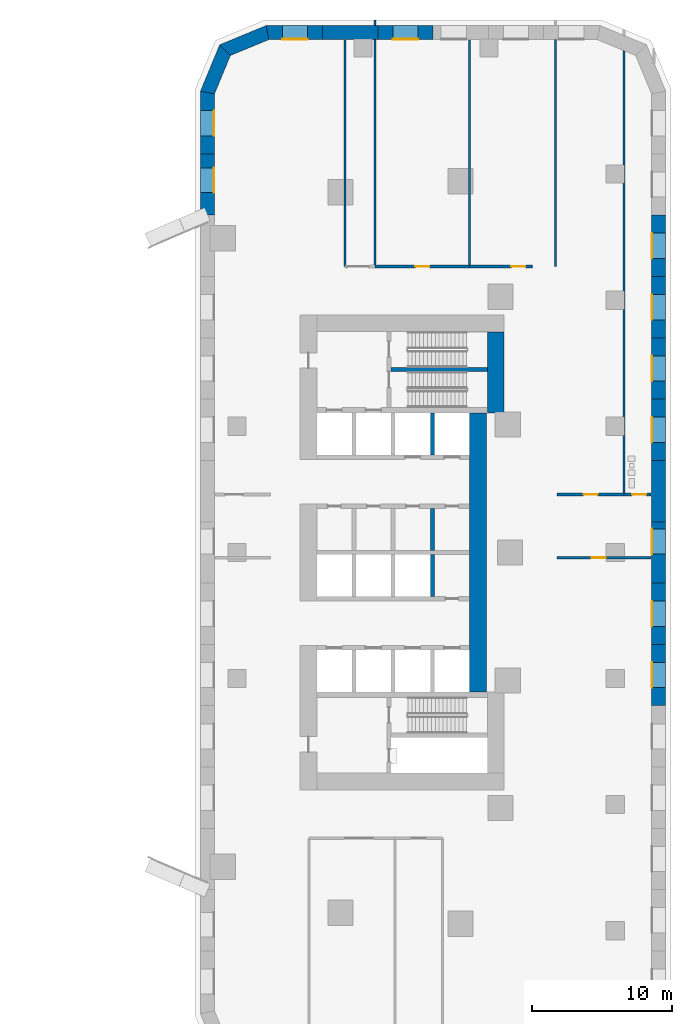
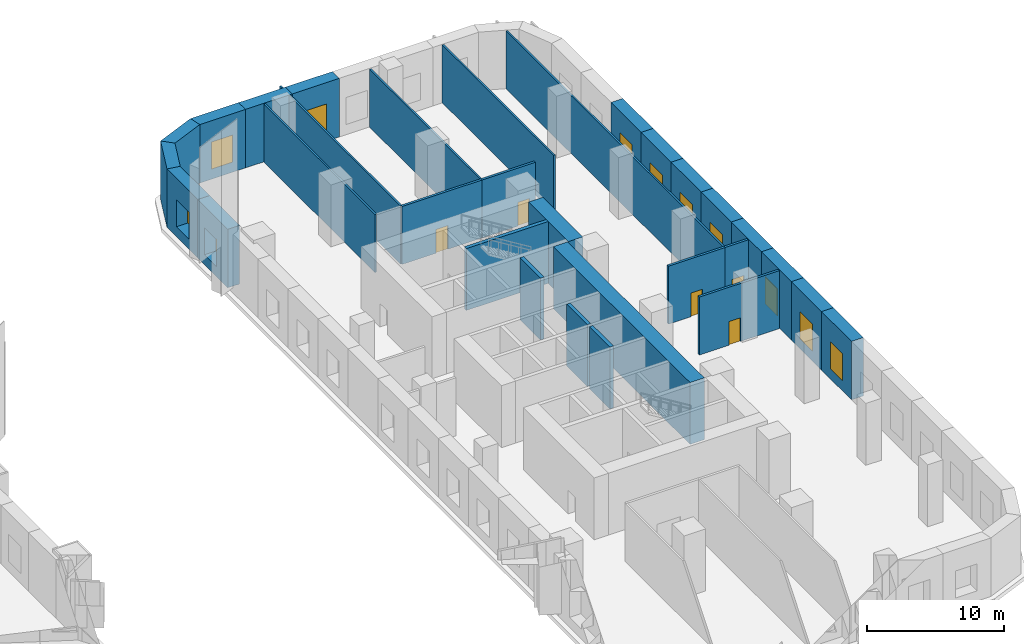
# One storey, part 5 of 13: 32 walls, 11 windows, 5 doors, 16 openings.
"""IFC4 building model written with IfcOpenShell, lengths in metres."""

from ifc_helpers import new_model, si_unit, direction, frame, frame_2d, origin, place, context, subcontext, project, spatial, polyline, rectangle, outline, extrude, material, layer, layer_set, type_object, element, fill, save


model = new_model("IFC4")

# Units and contexts
model_context = context("Model", 3, precision=1e-05, world=origin(), true_north=direction((0.0, 1.0)))
body_context = subcontext(model_context, "Body", "Model", "MODEL_VIEW")
ifc_project = project(units=[si_unit("LENGTHUNIT", "METRE"), si_unit("AREAUNIT", "SQUARE_METRE"), si_unit("VOLUMEUNIT", "CUBIC_METRE"), si_unit("PLANEANGLEUNIT", "RADIAN"), si_unit("MASSUNIT", "GRAM", prefix="KILO")], contexts=[model_context])

# Site, building, storey
site_placement = place(None, origin())
site = spatial("IfcSite", under=ifc_project, at=site_placement, CompositionType="ELEMENT")
building_placement = place(site_placement, origin())
building = spatial("IfcBuilding", under=site, at=building_placement, Name="Ostrand Prow Hotel Tower", CompositionType="ELEMENT")
storey_placement = place(building_placement, frame((0.0, 0.0, 13.5)))
storey = spatial("IfcBuildingStorey", under=building, at=storey_placement, Name="L02", CompositionType="ELEMENT", Elevation=13.5)

# Walls
ifc_material_1 = material(Name="Concrete C80/95", Category="concrete")
ifc_layer_1 = layer(ifc_material_1, 1.199951171875)
ifc_layer_set_1 = layer_set([ifc_layer_1], Name="Concrete C80/95")
wall_type_1 = type_object("IfcWallType", Name="Core wall 1200 C80/95", PredefinedType="SHEAR", material=ifc_layer_set_1)
wall_1_placement = place(storey_placement, frame((63.47998046875, 9.949951171875, 0.0), z_axis=(0.0, 0.0, 1.0), x_axis=(0.0, 1.0, 0.0)))
element("IfcWall", 1, at=wall_1_placement, inside=storey, type_object=wall_type_1, Name="Core wall CW-E-N", PredefinedType="SHEAR", context=body_context, shape_type="SweptSolid", body=[
    extrude(rectangle(XDim=5.800048828125, YDim=1.199951171875, at=frame_2d((2.89990234375, 0.0))), origin(), (0.0, 0.0, 1.0), 5.5),
])
wall_2_placement = place(storey_placement, frame((62.199951171875, -9.949951171875, 0.0), z_axis=(0.0, 0.0, 1.0), x_axis=(0.0, 1.0, 0.0)))
element("IfcWall", 2, at=wall_2_placement, inside=storey, type_object=wall_type_1, Name="Core wall CW-E-C", PredefinedType="SHEAR", context=body_context, shape_type="SweptSolid", body=[
    extrude(rectangle(XDim=19.89990234375, YDim=1.199951171875, at=frame_2d((9.949951171875, 0.0))), origin(), (0.0, 0.0, 1.0), 5.5),
])
ifc_material_2 = material(Name="Concrete C80/95", Category="concrete")
ifc_layer_2 = layer(ifc_material_2, 0.300048828125)
ifc_layer_set_2 = layer_set([ifc_layer_2], Name="Concrete C80/95")
wall_type_2 = type_object("IfcWallType", Name="Core wall 300 C80/95", PredefinedType="SHEAR", material=ifc_layer_set_2)
for number, where, z_axis, x_axis, name in (
    (3, (58.949951171875, 0.14990234375, 0.0), (0.0, 0.0, 1.0), (0.0, 1.0, 0.0), "Core wall PW-R3-NB"),
    (4, (58.949951171875, 6.949951171875, 0.0), (0.0, 0.0, 1.0), (0.0, 1.0, 0.0), "Core wall PW-R3-NA"),
    (5, (58.949951171875, -3.14990234375, 0.0), (0.0, 0.0, 1.0), (0.0, 1.0, 0.0), "Core wall PW-R3-SB"),
):
    element("IfcWall", number, at=place(storey_placement, frame(where, z_axis=z_axis, x_axis=x_axis)), inside=storey, type_object=wall_type_2, Name=name, PredefinedType="SHEAR", context=body_context, shape_type="SweptSolid", body=[
        extrude(rectangle(XDim=3.0, YDim=0.300048828125, at=frame_2d((1.5, 0.0))), origin(), (0.0, 0.0, 1.0), 5.5),
    ])
wall_3_placement = place(storey_placement, frame((56.0, 13.050048828125, 0.0), z_axis=(0.0, 0.0, 1.0), x_axis=(1.0, 0.0, 0.0)))
element("IfcWall", 6, at=wall_3_placement, inside=storey, type_object=wall_type_2, Name="Core wall PW-ST13", PredefinedType="SHEAR", context=body_context, shape_type="SweptSolid", body=[
    extrude(rectangle(XDim=6.8798828125, YDim=0.300048828125, at=frame_2d((3.43994140625, 0.0))), origin(), (0.0, 0.0, 1.0), 5.5),
])
ifc_material_3 = material(Name="Plasterboard partition")
ifc_layer_3 = layer(ifc_material_3, 0.14990234375)
ifc_layer_set_3 = layer_set([ifc_layer_3], Name="Plasterboard partition")
wall_type_3 = type_object("IfcWallType", Name="Partition 150 room partition", PredefinedType="PARTITIONING", material=ifc_layer_set_3)
wall_4_placement = place(storey_placement, frame((52.720703125, 20.39990234375, 0.0), z_axis=(0.0, 0.0, 1.0), x_axis=(0.0, 1.0, 0.0)))
element("IfcWall", 7, at=wall_4_placement, inside=storey, type_object=wall_type_3, Name="ROOM PARTITION", PredefinedType="PARTITIONING", context=body_context, shape_type="SweptSolid", body=[
    extrude(rectangle(XDim=16.170166015625, YDim=0.14990234375, at=frame_2d((8.0849609375, 0.0))), origin(), (0.0, 0.0, 1.0), 5.14990234375),
])
wall_5_placement = place(storey_placement, frame((54.864990234375, 20.39990234375, 0.0), z_axis=(0.0, 0.0, 1.0), x_axis=(0.0, 1.0, 0.0)))
element("IfcWall", 8, at=wall_5_placement, inside=storey, type_object=wall_type_3, Name="ROOM PARTITION", PredefinedType="PARTITIONING", context=body_context, shape_type="SweptSolid", body=[
    extrude(rectangle(XDim=16.2001953125, YDim=0.14990234375, at=frame_2d((8.10009765625, 0.0))), origin(), (0.0, 0.0, 1.0), 5.14990234375),
])
wall_6_placement = place(storey_placement, frame((54.864990234375, 37.60009765625, 0.0), z_axis=(0.0, 0.0, 1.0), x_axis=(0.0, 1.0, 0.0)))
element("IfcWall", 9, at=wall_6_placement, inside=storey, type_object=wall_type_3, Name="ROOM PARTITION", PredefinedType="PARTITIONING", context=body_context, shape_type="SweptSolid", body=[
    extrude(rectangle(XDim=0.39990234375, YDim=0.14990234375, at=frame_2d((0.199951171875, 0.0))), origin(), (0.0, 0.0, 1.0), 5.14990234375),
])
wall_7_placement = place(storey_placement, frame((61.603515625, 20.39990234375, 0.0), z_axis=(0.0, 0.0, 1.0), x_axis=(0.0, 1.0, 0.0)))
element("IfcWall", 10, at=wall_7_placement, inside=storey, type_object=wall_type_3, Name="ROOM PARTITION", PredefinedType="PARTITIONING", context=body_context, shape_type="SweptSolid", body=[
    extrude(rectangle(XDim=16.170166015625, YDim=0.14990234375, at=frame_2d((8.0849609375, 0.0))), origin(), (0.0, 0.0, 1.0), 5.14990234375),
])
wall_8_placement = place(storey_placement, frame((67.729736328125, 20.39990234375, 0.0), z_axis=(0.0, 0.0, 1.0), x_axis=(0.0, 1.0, 0.0)))
element("IfcWall", 11, at=wall_8_placement, inside=storey, type_object=wall_type_3, Name="ROOM PARTITION", PredefinedType="PARTITIONING", context=body_context, shape_type="SweptSolid", body=[
    extrude(rectangle(XDim=16.2001953125, YDim=0.14990234375, at=frame_2d((8.10009765625, 0.0))), origin(), (0.0, 0.0, 1.0), 5.14990234375),
])
wall_9_placement = place(storey_placement, frame((72.630615234375, 4.138671875, 0.0), z_axis=(0.0, 0.0, 1.0), x_axis=(0.0, 1.0, 0.0)))
element("IfcWall", 12, at=wall_9_placement, inside=storey, type_object=wall_type_3, Name="ROOM PARTITION", PredefinedType="PARTITIONING", context=body_context, shape_type="SweptSolid", body=[
    extrude(rectangle(XDim=31.67041015625, YDim=0.14990234375, at=frame_2d((15.835205078125, 0.0))), origin(), (0.0, 0.0, 1.0), 5.14990234375),
])

# Wall, opening, door
ifc_material_4 = material(Name="Plasterboard partition")
ifc_layer_4 = layer(ifc_material_4, 0.199951171875)
ifc_layer_set_4 = layer_set([ifc_layer_4], Name="Plasterboard partition")
wall_type_4 = type_object("IfcWallType", Name="Partition 200 corridor wall", PredefinedType="PARTITIONING", material=ifc_layer_set_4)
wall_10_placement = place(storey_placement, frame((67.85888671875, -0.376220703125, 0.0), z_axis=(0.0, 0.0, 1.0), x_axis=(1.0, 0.0, 0.0)))
wall_10 = element("IfcWall", 13, at=wall_10_placement, inside=storey, type_object=wall_type_4, Name="CORRIDOR WALL", PredefinedType="PARTITIONING", context=body_context, shape_type="SweptSolid", body=[
    extrude(rectangle(XDim=6.711181640625, YDim=0.199951171875, at=frame_2d((3.35546875, 0.0))), origin(), (0.0, 0.0, 1.0), 5.14990234375),
])
opening_1_placement = place(wall_10_placement, frame((2.470458984375, 0.0, 0.0)))
opening_1 = element("IfcOpeningElement", 14, at=opening_1_placement, cuts=wall_10, Name="Opening D1R", PredefinedType="OPENING", context=body_context, shape_type="SweptSolid", body=[
    extrude(rectangle(XDim=1.0, YDim=2.10009765625, at=frame_2d((0.5, 1.050048828125))), frame((0.0, 0.10986328125, 0.0), z_axis=(0.0, -1.0, 0.0), x_axis=(1.0, 0.0, 0.0)), (0.0, 0.0, 1.0), 0.219970703125),
])
ifc_material_5 = material(Name="Timber door leaf", Category="wood")
door_type_1 = type_object("IfcDoorType", Name="Guest room door 1000 right", OperationType="SINGLE_SWING_RIGHT", PredefinedType="DOOR", material=ifc_material_5)
door_1_placement = place(opening_1_placement, origin())
door_1 = element("IfcDoor", 15, at=door_1_placement, inside=storey, type_object=door_type_1, Name="DOOR", OperationType="SINGLE_SWING_RIGHT", OverallHeight=2.10009765625, OverallWidth=1.0, PredefinedType="DOOR", context=body_context, shape_type="SweptSolid", body=[
    extrude(rectangle(XDim=1.0, YDim=2.10009765625, at=frame_2d((0.5, 1.050048828125))), frame((0.0, 0.02490234375, 0.0), z_axis=(0.0, -1.0, 0.0), x_axis=(1.0, 0.0, 0.0)), (0.0, 0.0, 1.0), 0.050048828125),
])
fill(opening_1, door_1)

wall_11_placement = place(storey_placement, frame((67.85888671875, 4.138671875, 0.0), z_axis=(0.0, 0.0, 1.0), x_axis=(1.0, 0.0, 0.0)))
wall_11 = element("IfcWall", 16, at=wall_11_placement, inside=storey, type_object=wall_type_4, Name="CORRIDOR WALL", PredefinedType="PARTITIONING", context=body_context, shape_type="SweptSolid", body=[
    extrude(rectangle(XDim=4.771728515625, YDim=0.199951171875, at=frame_2d((2.3857421875, 0.0))), origin(), (0.0, 0.0, 1.0), 5.14990234375),
])
opening_2_placement = place(wall_11_placement, frame((1.8857421875, 0.0, 0.0)))
opening_2 = element("IfcOpeningElement", 17, at=opening_2_placement, cuts=wall_11, Name="Opening D1R", PredefinedType="OPENING", context=body_context, shape_type="SweptSolid", body=[
    extrude(rectangle(XDim=1.0, YDim=2.10009765625, at=frame_2d((0.5, 1.050048828125))), frame((0.0, 0.10986328125, 0.0), z_axis=(0.0, -1.0, 0.0), x_axis=(1.0, 0.0, 0.0)), (0.0, 0.0, 1.0), 0.219970703125),
])
door_2_placement = place(opening_2_placement, origin())
door_2 = element("IfcDoor", 18, at=door_2_placement, inside=storey, type_object=door_type_1, Name="DOOR", OperationType="SINGLE_SWING_RIGHT", OverallHeight=2.10009765625, OverallWidth=1.0, PredefinedType="DOOR", context=body_context, shape_type="SweptSolid", body=[
    extrude(rectangle(XDim=1.0, YDim=2.10009765625, at=frame_2d((0.5, 1.050048828125))), frame((0.0, 0.02490234375, 0.0), z_axis=(0.0, -1.0, 0.0), x_axis=(1.0, 0.0, 0.0)), (0.0, 0.0, 1.0), 0.050048828125),
])
fill(opening_2, door_2)

wall_12_placement = place(storey_placement, frame((72.630615234375, 4.138671875, 0.0), z_axis=(0.0, 0.0, 1.0), x_axis=(1.0, 0.0, 0.0)))
wall_12 = element("IfcWall", 19, at=wall_12_placement, inside=storey, type_object=wall_type_4, Name="CORRIDOR WALL", PredefinedType="PARTITIONING", context=body_context, shape_type="SweptSolid", body=[
    extrude(rectangle(XDim=1.939453125, YDim=0.199951171875, at=frame_2d((0.9697265625, 0.0))), origin(), (0.0, 0.0, 1.0), 5.14990234375),
])
opening_3_placement = place(wall_12_placement, frame((0.572021484375, 0.0, 0.0)))
opening_3 = element("IfcOpeningElement", 20, at=opening_3_placement, cuts=wall_12, Name="Opening D1", PredefinedType="OPENING", context=body_context, shape_type="SweptSolid", body=[
    extrude(rectangle(XDim=1.0, YDim=2.10009765625, at=frame_2d((0.5, 1.050048828125))), frame((0.0, 0.10986328125, 0.0), z_axis=(0.0, -1.0, 0.0), x_axis=(1.0, 0.0, 0.0)), (0.0, 0.0, 1.0), 0.219970703125),
])
ifc_material_6 = material(Name="Timber door leaf", Category="wood")
door_type_2 = type_object("IfcDoorType", Name="Guest room door 1000", OperationType="SINGLE_SWING_LEFT", PredefinedType="DOOR", material=ifc_material_6)
door_3_placement = place(opening_3_placement, origin())
door_3 = element("IfcDoor", 21, at=door_3_placement, inside=storey, type_object=door_type_2, Name="DOOR", OperationType="SINGLE_SWING_LEFT", OverallHeight=2.10009765625, OverallWidth=1.0, PredefinedType="DOOR", context=body_context, shape_type="SweptSolid", body=[
    extrude(rectangle(XDim=1.0, YDim=2.10009765625, at=frame_2d((0.5, 1.050048828125))), frame((0.0, 0.02490234375, 0.0), z_axis=(0.0, -1.0, 0.0), x_axis=(1.0, 0.0, 0.0)), (0.0, 0.0, 1.0), 0.050048828125),
])
fill(opening_3, door_3)

wall_13_placement = place(storey_placement, frame((61.603515625, 20.39990234375, 0.0), z_axis=(0.0, 0.0, 1.0), x_axis=(-1.0, 0.0, 0.0)))
wall_13 = element("IfcWall", 22, at=wall_13_placement, inside=storey, type_object=wall_type_4, Name="CORRIDOR WALL", PredefinedType="PARTITIONING", context=body_context, shape_type="SweptSolid", body=[
    extrude(rectangle(XDim=6.738525390625, YDim=0.199951171875, at=frame_2d((3.369140625, 0.0))), origin(), (0.0, 0.0, 1.0), 5.14990234375),
])
opening_4_placement = place(wall_13_placement, frame((2.869384765625, 0.0, 0.0)))
opening_4 = element("IfcOpeningElement", 23, at=opening_4_placement, cuts=wall_13, Name="Opening D1", PredefinedType="OPENING", context=body_context, shape_type="SweptSolid", body=[
    extrude(rectangle(XDim=1.0, YDim=2.10009765625, at=frame_2d((0.5, 1.050048828125))), frame((0.0, 0.10986328125, 0.0), z_axis=(0.0, -1.0, 0.0), x_axis=(1.0, 0.0, 0.0)), (0.0, 0.0, 1.0), 0.219970703125),
])
door_4_placement = place(opening_4_placement, origin())
door_4 = element("IfcDoor", 24, at=door_4_placement, inside=storey, type_object=door_type_2, Name="DOOR", OperationType="SINGLE_SWING_LEFT", OverallHeight=2.10009765625, OverallWidth=1.0, PredefinedType="DOOR", context=body_context, shape_type="SweptSolid", body=[
    extrude(rectangle(XDim=1.0, YDim=2.10009765625, at=frame_2d((0.5, 1.050048828125))), frame((0.0, 0.02490234375, 0.0), z_axis=(0.0, -1.0, 0.0), x_axis=(1.0, 0.0, 0.0)), (0.0, 0.0, 1.0), 0.050048828125),
])
fill(opening_4, door_4)

wall_14_placement = place(storey_placement, frame((66.090087890625, 20.39990234375, 0.0), z_axis=(0.0, 0.0, 1.0), x_axis=(-1.0, 0.0, 0.0)))
wall_14 = element("IfcWall", 25, at=wall_14_placement, inside=storey, type_object=wall_type_4, Name="CORRIDOR WALL", PredefinedType="PARTITIONING", context=body_context, shape_type="SweptSolid", body=[
    extrude(rectangle(XDim=4.486572265625, YDim=0.199951171875, at=frame_2d((2.2431640625, 0.0))), origin(), (0.0, 0.0, 1.0), 5.14990234375),
])
opening_5_placement = place(wall_14_placement, frame((0.5, 0.0, 0.0)))
opening_5 = element("IfcOpeningElement", 26, at=opening_5_placement, cuts=wall_14, Name="Opening D1R", PredefinedType="OPENING", context=body_context, shape_type="SweptSolid", body=[
    extrude(rectangle(XDim=1.0, YDim=2.10009765625, at=frame_2d((0.5, 1.050048828125))), frame((0.0, 0.10986328125, 0.0), z_axis=(0.0, -1.0, 0.0), x_axis=(1.0, 0.0, 0.0)), (0.0, 0.0, 1.0), 0.219970703125),
])
door_5_placement = place(opening_5_placement, origin())
door_5 = element("IfcDoor", 27, at=door_5_placement, inside=storey, type_object=door_type_1, Name="DOOR", OperationType="SINGLE_SWING_RIGHT", OverallHeight=2.10009765625, OverallWidth=1.0, PredefinedType="DOOR", context=body_context, shape_type="SweptSolid", body=[
    extrude(rectangle(XDim=1.0, YDim=2.10009765625, at=frame_2d((0.5, 1.050048828125))), frame((0.0, 0.02490234375, 0.0), z_axis=(0.0, -1.0, 0.0), x_axis=(1.0, 0.0, 0.0)), (0.0, 0.0, 1.0), 0.050048828125),
])
fill(opening_5, door_5)

# Wall, opening, window
ifc_material_7 = material(Name="Precast concrete C40/50", Category="concrete")
ifc_layer_5 = layer(ifc_material_7, 1.0)
ifc_layer_set_5 = layer_set([ifc_layer_5], Name="Precast concrete C40/50")
wall_type_5 = type_object("IfcWallType", Name="Portal pier wall 1000 mm", PredefinedType="NOTDEFINED", material=ifc_layer_set_5)
wall_15_placement = place(storey_placement, frame((75.10009765625, -10.940185546875, 0.0), z_axis=(0.0, 0.0, 1.0), x_axis=(0.0, 1.0, 0.0)))
wall_15 = element("IfcWall", 28, at=wall_15_placement, inside=storey, type_object=wall_type_5, Name="Portal pier wall L02-PP113", PredefinedType="NOTDEFINED", context=body_context, shape_type="SweptSolid", body=[
    extrude(outline(polyline([(0.0, -0.5), (4.3759765625, -0.5), (4.3759765625, 0.5), (0.0, 0.5), (0.0, -0.5)])), origin(), (0.0, 0.0, 1.0), 5.199951171875),
])
opening_6_placement = place(wall_15_placement, frame((1.2880859375, 0.0, 0.89990234375)))
opening_6 = element("IfcOpeningElement", 29, at=opening_6_placement, cuts=wall_15, Name="Opening WP2", PredefinedType="OPENING", context=body_context, shape_type="SweptSolid", body=[
    extrude(rectangle(XDim=1.800048828125, YDim=2.39990234375, at=frame_2d((0.89990234375, 1.199951171875))), frame((0.0, 0.510009765625, 0.0), z_axis=(0.0, -1.0, 0.0), x_axis=(1.0, 0.0, 0.0)), (0.0, 0.0, 1.0), 1.02001953125),
])
ifc_material_8 = material(Name="Insulated glass in bronze anodised frame", Category="glass")
window_type = type_object("IfcWindowType", Name="Portal window 1800x2400", PartitioningType="SINGLE_PANEL", PredefinedType="WINDOW", material=ifc_material_8)
window_1_placement = place(opening_6_placement, origin())
window_1 = element("IfcWindow", 30, at=window_1_placement, inside=storey, type_object=window_type, Name="Portal window L02-PP113", OverallHeight=2.39990234375, OverallWidth=1.800048828125, PartitioningType="SINGLE_PANEL", PredefinedType="WINDOW", context=body_context, shape_type="SweptSolid", body=[
    extrude(rectangle(XDim=1.800048828125, YDim=2.39990234375, at=frame_2d((0.89990234375, 1.199951171875))), frame((0.0, 0.5, 0.0), z_axis=(0.0, -1.0, 0.0), x_axis=(1.0, 0.0, 0.0)), (0.0, 0.0, 1.0), 0.06005859375),
])
fill(opening_6, window_1)

wall_16_placement = place(storey_placement, frame((75.10009765625, -6.564208984375, 0.0), z_axis=(0.0, 0.0, 1.0), x_axis=(0.0, 1.0, 0.0)))
wall_16 = element("IfcWall", 31, at=wall_16_placement, inside=storey, type_object=wall_type_5, Name="Portal pier wall L02-PP114", PredefinedType="NOTDEFINED", context=body_context, shape_type="SweptSolid", body=[
    extrude(outline(polyline([(0.0, -0.5), (4.376220703125, -0.5), (4.376220703125, 0.5), (0.0, 0.5), (0.0, -0.5)])), origin(), (0.0, 0.0, 1.0), 5.199951171875),
])
opening_7_placement = place(wall_16_placement, frame((1.2880859375, 0.0, 0.89990234375)))
opening_7 = element("IfcOpeningElement", 32, at=opening_7_placement, cuts=wall_16, Name="Opening WP2", PredefinedType="OPENING", context=body_context, shape_type="SweptSolid", body=[
    extrude(rectangle(XDim=1.800048828125, YDim=2.39990234375, at=frame_2d((0.89990234375, 1.199951171875))), frame((0.0, 0.510009765625, 0.0), z_axis=(0.0, -1.0, 0.0), x_axis=(1.0, 0.0, 0.0)), (0.0, 0.0, 1.0), 1.02001953125),
])
window_2_placement = place(opening_7_placement, origin())
window_2 = element("IfcWindow", 33, at=window_2_placement, inside=storey, type_object=window_type, Name="Portal window L02-PP114", OverallHeight=2.39990234375, OverallWidth=1.800048828125, PartitioningType="SINGLE_PANEL", PredefinedType="WINDOW", context=body_context, shape_type="SweptSolid", body=[
    extrude(rectangle(XDim=1.800048828125, YDim=2.39990234375, at=frame_2d((0.89990234375, 1.199951171875))), frame((0.0, 0.5, 0.0), z_axis=(0.0, -1.0, 0.0), x_axis=(1.0, 0.0, 0.0)), (0.0, 0.0, 1.0), 0.06005859375),
])
fill(opening_7, window_2)

wall_17_placement = place(storey_placement, frame((75.10009765625, -2.18798828125, 0.0), z_axis=(0.0, 0.0, 1.0), x_axis=(0.0, 1.0, 0.0)))
wall_17 = element("IfcWall", 34, at=wall_17_placement, inside=storey, type_object=wall_type_5, Name="Portal pier wall L02-PP115", PredefinedType="NOTDEFINED", context=body_context, shape_type="SweptSolid", body=[
    extrude(outline(polyline([(0.0, -0.5), (4.3759765625, -0.5), (4.3759765625, 0.5), (0.0, 0.5), (0.0, -0.5)])), origin(), (0.0, 0.0, 1.0), 5.199951171875),
])
opening_8_placement = place(wall_17_placement, frame((2.068115234375, 0.0, 0.89990234375)))
opening_8 = element("IfcOpeningElement", 35, at=opening_8_placement, cuts=wall_17, Name="Opening WP2", PredefinedType="OPENING", context=body_context, shape_type="SweptSolid", body=[
    extrude(rectangle(XDim=1.800048828125, YDim=2.39990234375, at=frame_2d((0.89990234375, 1.199951171875))), frame((0.0, 0.510009765625, 0.0), z_axis=(0.0, -1.0, 0.0), x_axis=(1.0, 0.0, 0.0)), (0.0, 0.0, 1.0), 1.02001953125),
])
window_3_placement = place(opening_8_placement, origin())
window_3 = element("IfcWindow", 36, at=window_3_placement, inside=storey, type_object=window_type, Name="Portal window L02-PP115", OverallHeight=2.39990234375, OverallWidth=1.800048828125, PartitioningType="SINGLE_PANEL", PredefinedType="WINDOW", context=body_context, shape_type="SweptSolid", body=[
    extrude(rectangle(XDim=1.800048828125, YDim=2.39990234375, at=frame_2d((0.89990234375, 1.199951171875))), frame((0.0, 0.5, 0.0), z_axis=(0.0, -1.0, 0.0), x_axis=(1.0, 0.0, 0.0)), (0.0, 0.0, 1.0), 0.06005859375),
])
fill(opening_8, window_3)

# Wall
wall_18_placement = place(storey_placement, frame((75.10009765625, 2.18798828125, 0.0), z_axis=(0.0, 0.0, 1.0), x_axis=(0.0, 1.0, 0.0)))
element("IfcWall", 37, at=wall_18_placement, inside=storey, type_object=wall_type_5, Name="Portal pier wall L02-PP116", PredefinedType="NOTDEFINED", context=body_context, shape_type="SweptSolid", body=[
    extrude(outline(polyline([(0.0, -0.5), (4.376220703125, -0.5), (4.376220703125, 0.5), (0.0, 0.5), (0.0, -0.5)])), origin(), (0.0, 0.0, 1.0), 5.199951171875),
])

# Wall, opening, window
wall_19_placement = place(storey_placement, frame((75.10009765625, 6.564208984375, 0.0), z_axis=(0.0, 0.0, 1.0), x_axis=(0.0, 1.0, 0.0)))
wall_19 = element("IfcWall", 38, at=wall_19_placement, inside=storey, type_object=wall_type_5, Name="Portal pier wall L02-PP117", PredefinedType="NOTDEFINED", context=body_context, shape_type="SweptSolid", body=[
    extrude(outline(polyline([(0.0, -0.5), (4.3759765625, -0.5), (4.3759765625, 0.5), (0.0, 0.5), (0.0, -0.5)])), origin(), (0.0, 0.0, 1.0), 5.199951171875),
])
opening_9_placement = place(wall_19_placement, frame((1.2880859375, 0.0, 0.89990234375)))
opening_9 = element("IfcOpeningElement", 39, at=opening_9_placement, cuts=wall_19, Name="Opening WP2", PredefinedType="OPENING", context=body_context, shape_type="SweptSolid", body=[
    extrude(rectangle(XDim=1.800048828125, YDim=2.39990234375, at=frame_2d((0.89990234375, 1.199951171875))), frame((0.0, 0.510009765625, 0.0), z_axis=(0.0, -1.0, 0.0), x_axis=(1.0, 0.0, 0.0)), (0.0, 0.0, 1.0), 1.02001953125),
])
window_4_placement = place(opening_9_placement, origin())
window_4 = element("IfcWindow", 40, at=window_4_placement, inside=storey, type_object=window_type, Name="Portal window L02-PP117", OverallHeight=2.39990234375, OverallWidth=1.800048828125, PartitioningType="SINGLE_PANEL", PredefinedType="WINDOW", context=body_context, shape_type="SweptSolid", body=[
    extrude(rectangle(XDim=1.800048828125, YDim=2.39990234375, at=frame_2d((0.89990234375, 1.199951171875))), frame((0.0, 0.5, 0.0), z_axis=(0.0, -1.0, 0.0), x_axis=(1.0, 0.0, 0.0)), (0.0, 0.0, 1.0), 0.06005859375),
])
fill(opening_9, window_4)

wall_20_placement = place(storey_placement, frame((75.10009765625, 10.940185546875, 0.0), z_axis=(0.0, 0.0, 1.0), x_axis=(0.0, 1.0, 0.0)))
wall_20 = element("IfcWall", 41, at=wall_20_placement, inside=storey, type_object=wall_type_5, Name="Portal pier wall L02-PP118", PredefinedType="NOTDEFINED", context=body_context, shape_type="SweptSolid", body=[
    extrude(outline(polyline([(0.0, -0.5), (4.376220703125, -0.5), (4.376220703125, 0.5), (0.0, 0.5), (0.0, -0.5)])), origin(), (0.0, 0.0, 1.0), 5.199951171875),
])
opening_10_placement = place(wall_20_placement, frame((1.2880859375, 0.0, 0.89990234375)))
opening_10 = element("IfcOpeningElement", 42, at=opening_10_placement, cuts=wall_20, Name="Opening WP2", PredefinedType="OPENING", context=body_context, shape_type="SweptSolid", body=[
    extrude(rectangle(XDim=1.800048828125, YDim=2.39990234375, at=frame_2d((0.89990234375, 1.199951171875))), frame((0.0, 0.510009765625, 0.0), z_axis=(0.0, -1.0, 0.0), x_axis=(1.0, 0.0, 0.0)), (0.0, 0.0, 1.0), 1.02001953125),
])
window_5_placement = place(opening_10_placement, origin())
window_5 = element("IfcWindow", 43, at=window_5_placement, inside=storey, type_object=window_type, Name="Portal window L02-PP118", OverallHeight=2.39990234375, OverallWidth=1.800048828125, PartitioningType="SINGLE_PANEL", PredefinedType="WINDOW", context=body_context, shape_type="SweptSolid", body=[
    extrude(rectangle(XDim=1.800048828125, YDim=2.39990234375, at=frame_2d((0.89990234375, 1.199951171875))), frame((0.0, 0.5, 0.0), z_axis=(0.0, -1.0, 0.0), x_axis=(1.0, 0.0, 0.0)), (0.0, 0.0, 1.0), 0.06005859375),
])
fill(opening_10, window_5)

wall_21_placement = place(storey_placement, frame((75.10009765625, 15.31640625, 0.0), z_axis=(0.0, 0.0, 1.0), x_axis=(0.0, 1.0, 0.0)))
wall_21 = element("IfcWall", 44, at=wall_21_placement, inside=storey, type_object=wall_type_5, Name="Portal pier wall L02-PP119", PredefinedType="NOTDEFINED", context=body_context, shape_type="SweptSolid", body=[
    extrude(outline(polyline([(0.0, -0.5), (4.376220703125, -0.5), (4.376220703125, 0.5), (0.0, 0.5), (0.0, -0.5)])), origin(), (0.0, 0.0, 1.0), 5.199951171875),
])
opening_11_placement = place(wall_21_placement, frame((1.2880859375, 0.0, 0.89990234375)))
opening_11 = element("IfcOpeningElement", 45, at=opening_11_placement, cuts=wall_21, Name="Opening WP2", PredefinedType="OPENING", context=body_context, shape_type="SweptSolid", body=[
    extrude(rectangle(XDim=1.800048828125, YDim=2.39990234375, at=frame_2d((0.89990234375, 1.199951171875))), frame((0.0, 0.510009765625, 0.0), z_axis=(0.0, -1.0, 0.0), x_axis=(1.0, 0.0, 0.0)), (0.0, 0.0, 1.0), 1.02001953125),
])
window_6_placement = place(opening_11_placement, origin())
window_6 = element("IfcWindow", 46, at=window_6_placement, inside=storey, type_object=window_type, Name="Portal window L02-PP119", OverallHeight=2.39990234375, OverallWidth=1.800048828125, PartitioningType="SINGLE_PANEL", PredefinedType="WINDOW", context=body_context, shape_type="SweptSolid", body=[
    extrude(rectangle(XDim=1.800048828125, YDim=2.39990234375, at=frame_2d((0.89990234375, 1.199951171875))), frame((0.0, 0.5, 0.0), z_axis=(0.0, -1.0, 0.0), x_axis=(1.0, 0.0, 0.0)), (0.0, 0.0, 1.0), 0.06005859375),
])
fill(opening_11, window_6)

wall_22_placement = place(storey_placement, frame((75.10009765625, 19.692626953125, 0.0), z_axis=(0.0, 0.0, 1.0), x_axis=(0.0, 1.0, 0.0)))
wall_22 = element("IfcWall", 47, at=wall_22_placement, inside=storey, type_object=wall_type_5, Name="Portal pier wall L02-PP120", PredefinedType="NOTDEFINED", context=body_context, shape_type="SweptSolid", body=[
    extrude(outline(polyline([(0.0, -0.5), (4.3759765625, -0.5), (4.3759765625, 0.5), (0.0, 0.5), (0.0, -0.5)])), origin(), (0.0, 0.0, 1.0), 5.199951171875),
])
opening_12_placement = place(wall_22_placement, frame((1.2880859375, 0.0, 0.89990234375)))
opening_12 = element("IfcOpeningElement", 48, at=opening_12_placement, cuts=wall_22, Name="Opening WP2", PredefinedType="OPENING", context=body_context, shape_type="SweptSolid", body=[
    extrude(rectangle(XDim=1.800048828125, YDim=2.39990234375, at=frame_2d((0.89990234375, 1.199951171875))), frame((0.0, 0.510009765625, 0.0), z_axis=(0.0, -1.0, 0.0), x_axis=(1.0, 0.0, 0.0)), (0.0, 0.0, 1.0), 1.02001953125),
])
window_7_placement = place(opening_12_placement, origin())
window_7 = element("IfcWindow", 49, at=window_7_placement, inside=storey, type_object=window_type, Name="Portal window L02-PP120", OverallHeight=2.39990234375, OverallWidth=1.800048828125, PartitioningType="SINGLE_PANEL", PredefinedType="WINDOW", context=body_context, shape_type="SweptSolid", body=[
    extrude(rectangle(XDim=1.800048828125, YDim=2.39990234375, at=frame_2d((0.89990234375, 1.199951171875))), frame((0.0, 0.5, 0.0), z_axis=(0.0, -1.0, 0.0), x_axis=(1.0, 0.0, 0.0)), (0.0, 0.0, 1.0), 0.06005859375),
])
fill(opening_12, window_7)

wall_23_placement = place(storey_placement, frame((59.0, 37.10009765625, 0.0), z_axis=(0.0, 0.0, 1.0), x_axis=(-1.0, 0.0, 0.0)))
wall_23 = element("IfcWall", 50, at=wall_23_placement, inside=storey, type_object=wall_type_5, Name="Portal pier wall L02-PP128", PredefinedType="NOTDEFINED", context=body_context, shape_type="SweptSolid", body=[
    extrude(outline(polyline([(0.0, -0.5), (3.940185546875, -0.5), (3.940185546875, 0.5), (0.0, 0.5), (0.0, -0.5)])), origin(), (0.0, 0.0, 1.0), 5.199951171875),
])
opening_13_placement = place(wall_23_placement, frame((1.0703125, 0.0, 0.89990234375)))
opening_13 = element("IfcOpeningElement", 51, at=opening_13_placement, cuts=wall_23, Name="Opening WP2", PredefinedType="OPENING", context=body_context, shape_type="SweptSolid", body=[
    extrude(rectangle(XDim=1.800048828125, YDim=2.39990234375, at=frame_2d((0.89990234375, 1.199951171875))), frame((0.0, 0.510009765625, 0.0), z_axis=(0.0, -1.0, 0.0), x_axis=(1.0, 0.0, 0.0)), (0.0, 0.0, 1.0), 1.02001953125),
])
window_8_placement = place(opening_13_placement, origin())
window_8 = element("IfcWindow", 52, at=window_8_placement, inside=storey, type_object=window_type, Name="Portal window L02-PP128", OverallHeight=2.39990234375, OverallWidth=1.800048828125, PartitioningType="SINGLE_PANEL", PredefinedType="WINDOW", context=body_context, shape_type="SweptSolid", body=[
    extrude(rectangle(XDim=1.800048828125, YDim=2.39990234375, at=frame_2d((0.89990234375, 1.199951171875))), frame((0.0, 0.5, 0.0), z_axis=(0.0, -1.0, 0.0), x_axis=(1.0, 0.0, 0.0)), (0.0, 0.0, 1.0), 0.06005859375),
])
fill(opening_13, window_8)

# Wall
wall_24_placement = place(storey_placement, frame((55.059814453125, 37.10009765625, 0.0), z_axis=(0.0, 0.0, 1.0), x_axis=(-1.0, 0.0, 0.0)))
element("IfcWall", 53, at=wall_24_placement, inside=storey, type_object=wall_type_5, Name="Portal pier wall L02-PP129", PredefinedType="NOTDEFINED", context=body_context, shape_type="SweptSolid", body=[
    extrude(outline(polyline([(0.0, -0.5), (3.9404296875, -0.5), (3.9404296875, 0.5), (0.0, 0.5), (0.0, -0.5)])), origin(), (0.0, 0.0, 1.0), 5.199951171875),
])

# Wall, opening, window
wall_25_placement = place(storey_placement, frame((51.119384765625, 37.10009765625, 0.0), z_axis=(0.0, 0.0, 1.0), x_axis=(-1.0, 0.0, 0.0)))
wall_25 = element("IfcWall", 54, at=wall_25_placement, inside=storey, type_object=wall_type_5, Name="Portal pier wall L02-PP130", PredefinedType="NOTDEFINED", context=body_context, shape_type="SweptSolid", body=[
    extrude(outline(polyline([(0.0, -0.5), (4.0400390625, -0.5), (3.8408203125, 0.5), (0.0, 0.5), (0.0, -0.5)])), origin(), (0.0, 0.0, 1.0), 5.199951171875),
])
opening_14_placement = place(wall_25_placement, frame((1.0703125, 0.0, 0.89990234375)))
opening_14 = element("IfcOpeningElement", 55, at=opening_14_placement, cuts=wall_25, Name="Opening WP2", PredefinedType="OPENING", context=body_context, shape_type="SweptSolid", body=[
    extrude(rectangle(XDim=1.800048828125, YDim=2.39990234375, at=frame_2d((0.89990234375, 1.199951171875))), frame((0.0, 0.510009765625, 0.0), z_axis=(0.0, -1.0, 0.0), x_axis=(1.0, 0.0, 0.0)), (0.0, 0.0, 1.0), 1.02001953125),
])
window_9_placement = place(opening_14_placement, origin())
window_9 = element("IfcWindow", 56, at=window_9_placement, inside=storey, type_object=window_type, Name="Portal window L02-PP130", OverallHeight=2.39990234375, OverallWidth=1.800048828125, PartitioningType="SINGLE_PANEL", PredefinedType="WINDOW", context=body_context, shape_type="SweptSolid", body=[
    extrude(rectangle(XDim=1.800048828125, YDim=2.39990234375, at=frame_2d((0.89990234375, 1.199951171875))), frame((0.0, 0.5, 0.0), z_axis=(0.0, -1.0, 0.0), x_axis=(1.0, 0.0, 0.0)), (0.0, 0.0, 1.0), 0.06005859375),
])
fill(opening_14, window_9)

# Walls
wall_26_placement = place(storey_placement, frame((47.178955078125, 37.10009765625, 0.0), z_axis=(0.0, 0.0, 1.0), x_axis=(-0.923862365102, -0.382724875529, 0.0)))
element("IfcWall", 57, at=wall_26_placement, inside=storey, type_object=wall_type_5, Name="Portal pier wall L02-PP131", PredefinedType="NOTDEFINED", context=body_context, shape_type="SweptSolid", body=[
    extrude(outline(polyline([(-0.099609375, -0.5), (3.48193359375, -0.5), (3.06787109375, 0.5), (0.099609375, 0.5), (-0.099609375, -0.5)])), origin(), (0.0, 0.0, 1.0), 5.199951171875),
])
wall_27_placement = place(storey_placement, frame((44.1533203125, 35.8466796875, 0.0), z_axis=(0.0, 0.0, 1.0), x_axis=(-0.382724875529, -0.923862365102, 0.0)))
element("IfcWall", 58, at=wall_27_placement, inside=storey, type_object=wall_type_5, Name="Portal pier wall L02-PP132", PredefinedType="NOTDEFINED", context=body_context, shape_type="SweptSolid", body=[
    extrude(outline(polyline([(-0.20703125, -0.5), (3.37451171875, -0.5), (3.17529296875, 0.5), (0.20703125, 0.5), (-0.20703125, -0.5)])), origin(), (0.0, 0.0, 1.0), 5.199951171875),
])

# Wall, opening, window
wall_28_placement = place(storey_placement, frame((42.89990234375, 32.821044921875, 0.0), z_axis=(0.0, 0.0, 1.0), x_axis=(0.0, -1.0, 0.0)))
wall_28 = element("IfcWall", 59, at=wall_28_placement, inside=storey, type_object=wall_type_5, Name="Portal pier wall L02-PP133", PredefinedType="NOTDEFINED", context=body_context, shape_type="SweptSolid", body=[
    extrude(outline(polyline([(-0.099609375, -0.5), (4.376220703125, -0.5), (4.376220703125, 0.5), (0.099609375, 0.5), (-0.099609375, -0.5)])), origin(), (0.0, 0.0, 1.0), 5.199951171875),
])
opening_15_placement = place(wall_28_placement, frame((1.2880859375, 0.0, 0.89990234375)))
opening_15 = element("IfcOpeningElement", 60, at=opening_15_placement, cuts=wall_28, Name="Opening WP2", PredefinedType="OPENING", context=body_context, shape_type="SweptSolid", body=[
    extrude(rectangle(XDim=1.800048828125, YDim=2.39990234375, at=frame_2d((0.89990234375, 1.199951171875))), frame((0.0, 0.510009765625, 0.0), z_axis=(0.0, -1.0, 0.0), x_axis=(1.0, 0.0, 0.0)), (0.0, 0.0, 1.0), 1.02001953125),
])
window_10_placement = place(opening_15_placement, origin())
window_10 = element("IfcWindow", 61, at=window_10_placement, inside=storey, type_object=window_type, Name="Portal window L02-PP133", OverallHeight=2.39990234375, OverallWidth=1.800048828125, PartitioningType="SINGLE_PANEL", PredefinedType="WINDOW", context=body_context, shape_type="SweptSolid", body=[
    extrude(rectangle(XDim=1.800048828125, YDim=2.39990234375, at=frame_2d((0.89990234375, 1.199951171875))), frame((0.0, 0.5, 0.0), z_axis=(0.0, -1.0, 0.0), x_axis=(1.0, 0.0, 0.0)), (0.0, 0.0, 1.0), 0.06005859375),
])
fill(opening_15, window_10)

wall_29_placement = place(storey_placement, frame((42.89990234375, 28.44482421875, 0.0), z_axis=(0.0, 0.0, 1.0), x_axis=(0.0, -1.0, 0.0)))
wall_29 = element("IfcWall", 62, at=wall_29_placement, inside=storey, type_object=wall_type_5, Name="Portal pier wall L02-PP134", PredefinedType="NOTDEFINED", context=body_context, shape_type="SweptSolid", body=[
    extrude(outline(polyline([(0.0, -0.5), (4.376220703125, -0.5), (4.376220703125, 0.5), (0.0, 0.5), (0.0, -0.5)])), origin(), (0.0, 0.0, 1.0), 5.199951171875),
])
opening_16_placement = place(wall_29_placement, frame((1.0, 0.0, 0.89990234375)))
opening_16 = element("IfcOpeningElement", 63, at=opening_16_placement, cuts=wall_29, Name="Opening WP2", PredefinedType="OPENING", context=body_context, shape_type="SweptSolid", body=[
    extrude(rectangle(XDim=1.760498046875, YDim=2.39990234375, at=frame_2d((0.88037109375, 1.199951171875))), frame((0.0, 0.510009765625, 0.0), z_axis=(0.0, -1.0, 0.0), x_axis=(1.0, 0.0, 0.0)), (0.0, 0.0, 1.0), 1.02001953125),
])
window_11_placement = place(opening_16_placement, origin())
window_11 = element("IfcWindow", 64, at=window_11_placement, inside=storey, type_object=window_type, Name="Portal window L02-PP134", OverallHeight=2.39990234375, OverallWidth=1.760498046875, PartitioningType="SINGLE_PANEL", PredefinedType="WINDOW", context=body_context, shape_type="SweptSolid", body=[
    extrude(rectangle(XDim=1.760498046875, YDim=2.39990234375, at=frame_2d((0.88037109375, 1.199951171875))), frame((0.0, 0.5, 0.0), z_axis=(0.0, -1.0, 0.0), x_axis=(1.0, 0.0, 0.0)), (0.0, 0.0, 1.0), 0.06005859375),
])
fill(opening_16, window_11)

save(model, "model.ifc")
